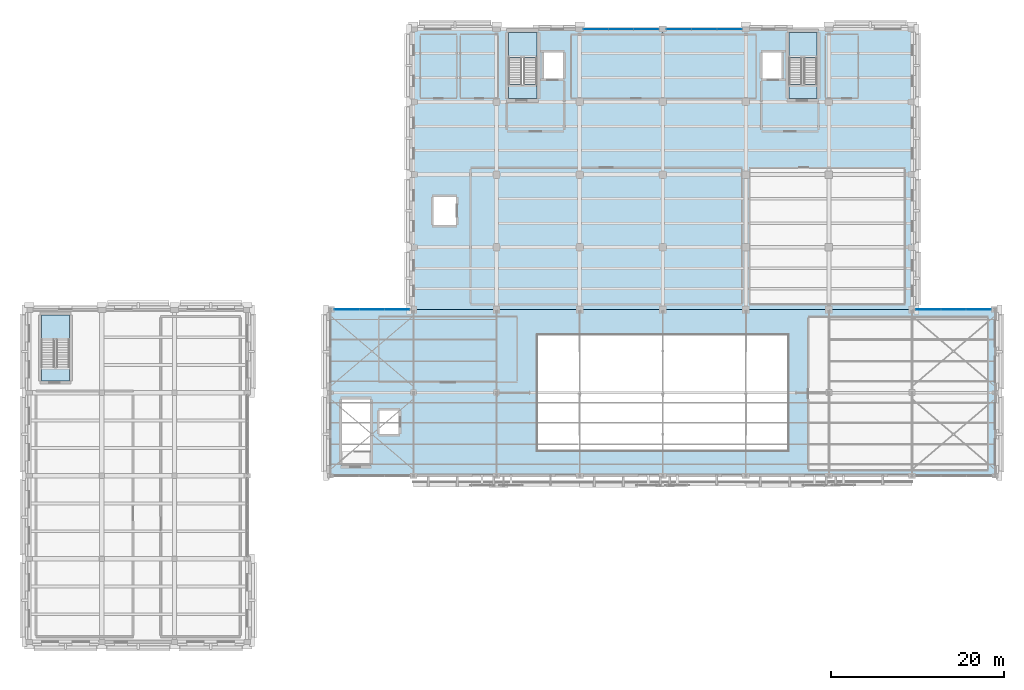
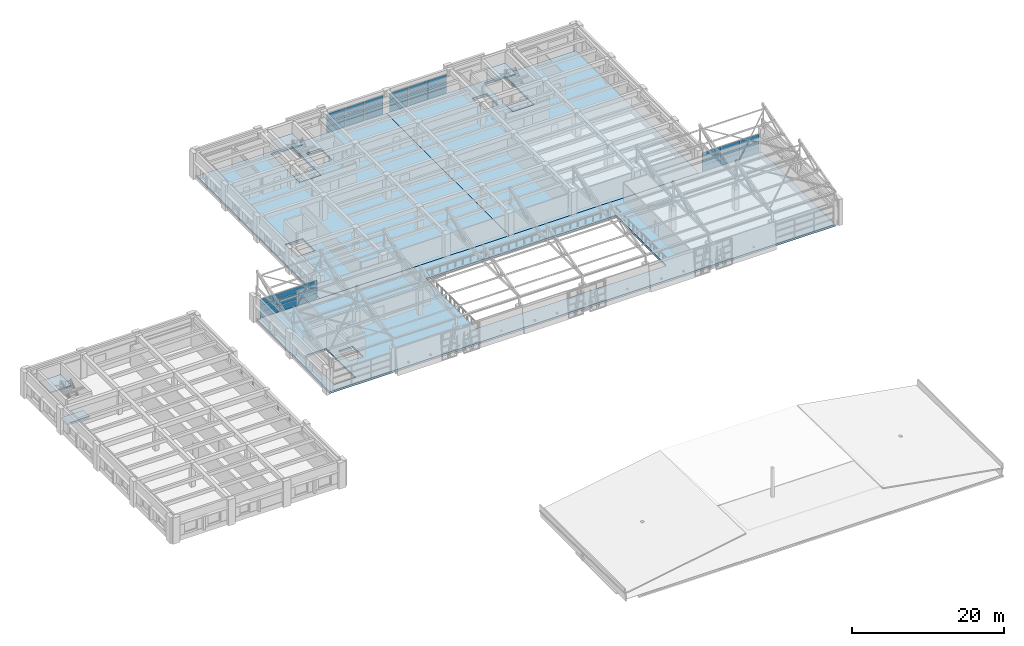
# One storey, part 37 of 58: 36 plates, 9 slabs, 7 elements without a shape of their own.
"""IFC4 building model written with IfcOpenShell, lengths in metres."""

from ifc_helpers import new_model, si_unit, direction, frame, origin, origin_2d, place, context, subcontext, project, spatial, polyline, rectangle, outline, extrude, material, layer, layer_set, type_object, element, aggregate, save


model = new_model("IFC4")

# Units and contexts
model_context = context("Model", 3, precision=1e-05, world=origin(), true_north=direction((0.0, 1.0)))
body_context = subcontext(model_context, "Body", "Model", "MODEL_VIEW")
ifc_project = project(units=[si_unit("LENGTHUNIT", "METRE"), si_unit("AREAUNIT", "SQUARE_METRE"), si_unit("VOLUMEUNIT", "CUBIC_METRE"), si_unit("PLANEANGLEUNIT", "RADIAN"), si_unit("MASSUNIT", "GRAM", prefix="KILO")], contexts=[model_context])

# Site, building, storey
site_placement = place(None, origin())
site = spatial("IfcSite", under=ifc_project, at=site_placement, CompositionType="ELEMENT")
building_placement = place(site_placement, origin())
building = spatial("IfcBuilding", under=site, at=building_placement, Name="Bempovik Park Faculty of Sciences", CompositionType="ELEMENT")
storey_placement = place(building_placement, frame((0.0, 0.0, 18.300048828125)))
storey = spatial("IfcBuildingStorey", under=building, at=storey_placement, Name="L04", CompositionType="ELEMENT", Elevation=18.300048828125)

# Curtain wall, plates
ifc_material_1 = material(Name="Tempered laminated low-E glass", Category="glass")
ifc_layer_1 = layer(ifc_material_1, 0.159912109375)
ifc_layer_set_1 = layer_set([ifc_layer_1], Name="Tempered laminated low-E glass")
curtain_wall_type_1 = type_object("IfcCurtainWallType", Name="CW-41 Curtain 6600x3800", PredefinedType="USERDEFINED", material=ifc_layer_set_1)
curtain_wall_1_placement = place(storey_placement, origin())
curtain_wall_1 = element("IfcCurtainWall", 1, at=curtain_wall_1_placement, inside=storey, type_object=curtain_wall_type_1, Name="L04 Unitised Curtain Wall (87.0,50.4)", ObjectType="UNITISED CURTAIN WALL", PredefinedType="USERDEFINED")
ifc_layer_2 = layer(ifc_material_1, 0.033935546875)
ifc_layer_set_2 = layer_set([ifc_layer_2], Name="Tempered laminated low-E glass")
plate_type_1 = type_object("IfcPlateType", Name="CP-19 Curtain Panel 34mm", PredefinedType="CURTAIN_PANEL", material=ifc_layer_set_2)
plate_1_placement = place(storey_placement, frame((52.305419921875, 87.0, 1.066650390625), z_axis=(0.0, 0.0, 1.0), x_axis=(1.0, 0.0, 0.0)))
plate_1 = element("IfcPlate", 2, at=plate_1_placement, type_object=plate_type_1, Name="CW-BAY-L04-870-504 Panel 0-1", PredefinedType="CURTAIN_PANEL", context=body_context, shape_type="SweptSolid", body=[
    extrude(rectangle(XDim=2.826904296875, YDim=0.035888671875, at=origin_2d()), origin(), (0.0, 0.0, 1.0), 0.94677734375),
])
plate_2_placement = place(storey_placement, frame((52.305419921875, 87.0, 2.09326171875), z_axis=(0.0, 0.0, 1.0), x_axis=(1.0, 0.0, 0.0)))
plate_2 = element("IfcPlate", 3, at=plate_2_placement, type_object=plate_type_1, Name="CW-BAY-L04-870-504 Panel 0-2", PredefinedType="CURTAIN_PANEL", context=body_context, shape_type="SweptSolid", body=[
    extrude(rectangle(XDim=2.826904296875, YDim=0.035888671875, at=origin_2d()), origin(), (0.0, 0.0, 1.0), 0.94677734375),
])
plate_3_placement = place(storey_placement, frame((55.21240234375, 87.0, 1.066650390625), z_axis=(0.0, 0.0, 1.0), x_axis=(1.0, 0.0, 0.0)))
plate_3 = element("IfcPlate", 4, at=plate_3_placement, type_object=plate_type_1, Name="CW-BAY-L04-870-504 Panel 1-1", PredefinedType="CURTAIN_PANEL", context=body_context, shape_type="SweptSolid", body=[
    extrude(rectangle(XDim=2.826904296875, YDim=0.035888671875, at=origin_2d()), origin(), (0.0, 0.0, 1.0), 0.94677734375),
])
plate_4_placement = place(storey_placement, frame((55.21240234375, 87.0, 2.09326171875), z_axis=(0.0, 0.0, 1.0), x_axis=(1.0, 0.0, 0.0)))
plate_4 = element("IfcPlate", 5, at=plate_4_placement, type_object=plate_type_1, Name="CW-BAY-L04-870-504 Panel 1-2", PredefinedType="CURTAIN_PANEL", context=body_context, shape_type="SweptSolid", body=[
    extrude(rectangle(XDim=2.826904296875, YDim=0.035888671875, at=origin_2d()), origin(), (0.0, 0.0, 1.0), 0.94677734375),
])
plate_5_placement = place(storey_placement, frame((58.119384765625, 87.0, 1.066650390625), z_axis=(0.0, 0.0, 1.0), x_axis=(1.0, 0.0, 0.0)))
plate_5 = element("IfcPlate", 6, at=plate_5_placement, type_object=plate_type_1, Name="CW-BAY-L04-870-504 Panel 2-1", PredefinedType="CURTAIN_PANEL", context=body_context, shape_type="SweptSolid", body=[
    extrude(rectangle(XDim=2.826904296875, YDim=0.035888671875, at=origin_2d()), origin(), (0.0, 0.0, 1.0), 0.94677734375),
])
plate_6_placement = place(storey_placement, frame((58.119384765625, 87.0, 2.09326171875), z_axis=(0.0, 0.0, 1.0), x_axis=(1.0, 0.0, 0.0)))
plate_6 = element("IfcPlate", 7, at=plate_6_placement, type_object=plate_type_1, Name="CW-BAY-L04-870-504 Panel 2-2", PredefinedType="CURTAIN_PANEL", context=body_context, shape_type="SweptSolid", body=[
    extrude(rectangle(XDim=2.826904296875, YDim=0.035888671875, at=origin_2d()), origin(), (0.0, 0.0, 1.0), 0.94677734375),
])

curtain_wall_2_placement = place(storey_placement, origin())
curtain_wall_2 = element("IfcCurtainWall", 8, at=curtain_wall_2_placement, inside=storey, type_object=curtain_wall_type_1, Name="L04 Unitised Curtain Wall (87.0,117.6)", ObjectType="UNITISED CURTAIN WALL", PredefinedType="USERDEFINED")
plate_7_placement = place(storey_placement, frame((119.48046875, 87.0, 1.066650390625), z_axis=(0.0, 0.0, 1.0), x_axis=(1.0, 0.0, 0.0)))
plate_7 = element("IfcPlate", 9, at=plate_7_placement, type_object=plate_type_1, Name="CW-BAY-L04-870-1176 Panel 0-1", PredefinedType="CURTAIN_PANEL", context=body_context, shape_type="SweptSolid", body=[
    extrude(rectangle(XDim=2.826904296875, YDim=0.035888671875, at=origin_2d()), origin(), (0.0, 0.0, 1.0), 0.94677734375),
])
plate_8_placement = place(storey_placement, frame((119.48046875, 87.0, 2.09326171875), z_axis=(0.0, 0.0, 1.0), x_axis=(1.0, 0.0, 0.0)))
plate_8 = element("IfcPlate", 10, at=plate_8_placement, type_object=plate_type_1, Name="CW-BAY-L04-870-1176 Panel 0-2", PredefinedType="CURTAIN_PANEL", context=body_context, shape_type="SweptSolid", body=[
    extrude(rectangle(XDim=2.826904296875, YDim=0.035888671875, at=origin_2d()), origin(), (0.0, 0.0, 1.0), 0.94677734375),
])
plate_9_placement = place(storey_placement, frame((122.387451171875, 87.0, 1.066650390625), z_axis=(0.0, 0.0, 1.0), x_axis=(1.0, 0.0, 0.0)))
plate_9 = element("IfcPlate", 11, at=plate_9_placement, type_object=plate_type_1, Name="CW-BAY-L04-870-1176 Panel 1-1", PredefinedType="CURTAIN_PANEL", context=body_context, shape_type="SweptSolid", body=[
    extrude(rectangle(XDim=2.826904296875, YDim=0.035888671875, at=origin_2d()), origin(), (0.0, 0.0, 1.0), 0.94677734375),
])
plate_10_placement = place(storey_placement, frame((122.387451171875, 87.0, 2.09326171875), z_axis=(0.0, 0.0, 1.0), x_axis=(1.0, 0.0, 0.0)))
plate_10 = element("IfcPlate", 12, at=plate_10_placement, type_object=plate_type_1, Name="CW-BAY-L04-870-1176 Panel 1-2", PredefinedType="CURTAIN_PANEL", context=body_context, shape_type="SweptSolid", body=[
    extrude(rectangle(XDim=2.826904296875, YDim=0.035888671875, at=origin_2d()), origin(), (0.0, 0.0, 1.0), 0.94677734375),
])
plate_11_placement = place(storey_placement, frame((125.29443359375, 87.0, 1.066650390625), z_axis=(0.0, 0.0, 1.0), x_axis=(1.0, 0.0, 0.0)))
plate_11 = element("IfcPlate", 13, at=plate_11_placement, type_object=plate_type_1, Name="CW-BAY-L04-870-1176 Panel 2-1", PredefinedType="CURTAIN_PANEL", context=body_context, shape_type="SweptSolid", body=[
    extrude(rectangle(XDim=2.826904296875, YDim=0.035888671875, at=origin_2d()), origin(), (0.0, 0.0, 1.0), 0.94677734375),
])
plate_12_placement = place(storey_placement, frame((125.29443359375, 87.0, 2.09326171875), z_axis=(0.0, 0.0, 1.0), x_axis=(1.0, 0.0, 0.0)))
plate_12 = element("IfcPlate", 14, at=plate_12_placement, type_object=plate_type_1, Name="CW-BAY-L04-870-1176 Panel 2-2", PredefinedType="CURTAIN_PANEL", context=body_context, shape_type="SweptSolid", body=[
    extrude(rectangle(XDim=2.826904296875, YDim=0.035888671875, at=origin_2d()), origin(), (0.0, 0.0, 1.0), 0.94677734375),
])

ifc_layer_3 = layer(ifc_material_1, 0.159912109375)
ifc_layer_set_3 = layer_set([ifc_layer_3], Name="Tempered laminated low-E glass")
curtain_wall_type_2 = type_object("IfcCurtainWallType", Name="CW-24 Curtain 7000x3500", PredefinedType="USERDEFINED", material=ifc_layer_set_3)
curtain_wall_3_placement = place(storey_placement, origin())
curtain_wall_3 = element("IfcCurtainWall", 15, at=curtain_wall_3_placement, inside=storey, type_object=curtain_wall_type_2, Name="L04 Unitised Curtain Wall (119.4,79.2)", ObjectType="UNITISED CURTAIN WALL", PredefinedType="USERDEFINED")
ifc_layer_4 = layer(ifc_material_1, 0.028076171875)
ifc_layer_set_4 = layer_set([ifc_layer_4], Name="Tempered laminated low-E glass")
plate_type_2 = type_object("IfcPlateType", Name="CP-20 Curtain Panel 28mm", PredefinedType="CURTAIN_PANEL", material=ifc_layer_set_4)
plate_13_placement = place(storey_placement, frame((81.101318359375, 119.39990234375, 1.066650390625), z_axis=(0.0, 0.0, 1.0), x_axis=(1.0, 0.0, 0.0)))
plate_13 = element("IfcPlate", 16, at=plate_13_placement, type_object=plate_type_2, Name="CW-BAY-L04-1194-792 Panel 0-1", PredefinedType="CURTAIN_PANEL", context=body_context, shape_type="SweptSolid", body=[
    extrude(rectangle(XDim=2.818603515625, YDim=0.035888671875, at=origin_2d()), origin(), (0.0, 0.0, 1.0), 0.94677734375),
])
plate_14_placement = place(storey_placement, frame((81.101318359375, 119.39990234375, 2.09326171875), z_axis=(0.0, 0.0, 1.0), x_axis=(1.0, 0.0, 0.0)))
plate_14 = element("IfcPlate", 17, at=plate_14_placement, type_object=plate_type_2, Name="CW-BAY-L04-1194-792 Panel 0-2", PredefinedType="CURTAIN_PANEL", context=body_context, shape_type="SweptSolid", body=[
    extrude(rectangle(XDim=2.818603515625, YDim=0.035888671875, at=origin_2d()), origin(), (0.0, 0.0, 1.0), 0.94677734375),
])
plate_15_placement = place(storey_placement, frame((84.0, 119.39990234375, 1.066650390625), z_axis=(0.0, 0.0, 1.0), x_axis=(1.0, 0.0, 0.0)))
plate_15 = element("IfcPlate", 18, at=plate_15_placement, type_object=plate_type_2, Name="CW-BAY-L04-1194-792 Panel 1-1", PredefinedType="CURTAIN_PANEL", context=body_context, shape_type="SweptSolid", body=[
    extrude(rectangle(XDim=2.818603515625, YDim=0.035888671875, at=origin_2d()), origin(), (0.0, 0.0, 1.0), 0.94677734375),
])
plate_16_placement = place(storey_placement, frame((84.0, 119.39990234375, 2.09326171875), z_axis=(0.0, 0.0, 1.0), x_axis=(1.0, 0.0, 0.0)))
plate_16 = element("IfcPlate", 19, at=plate_16_placement, type_object=plate_type_2, Name="CW-BAY-L04-1194-792 Panel 1-2", PredefinedType="CURTAIN_PANEL", context=body_context, shape_type="SweptSolid", body=[
    extrude(rectangle(XDim=2.818603515625, YDim=0.035888671875, at=origin_2d()), origin(), (0.0, 0.0, 1.0), 0.94677734375),
])
plate_17_placement = place(storey_placement, frame((86.898681640625, 119.39990234375, 1.066650390625), z_axis=(0.0, 0.0, 1.0), x_axis=(1.0, 0.0, 0.0)))
plate_17 = element("IfcPlate", 20, at=plate_17_placement, type_object=plate_type_2, Name="CW-BAY-L04-1194-792 Panel 2-1", PredefinedType="CURTAIN_PANEL", context=body_context, shape_type="SweptSolid", body=[
    extrude(rectangle(XDim=2.818603515625, YDim=0.035888671875, at=origin_2d()), origin(), (0.0, 0.0, 1.0), 0.94677734375),
])
plate_18_placement = place(storey_placement, frame((86.898681640625, 119.39990234375, 2.09326171875), z_axis=(0.0, 0.0, 1.0), x_axis=(1.0, 0.0, 0.0)))
plate_18 = element("IfcPlate", 21, at=plate_18_placement, type_object=plate_type_2, Name="CW-BAY-L04-1194-792 Panel 2-2", PredefinedType="CURTAIN_PANEL", context=body_context, shape_type="SweptSolid", body=[
    extrude(rectangle(XDim=2.818603515625, YDim=0.035888671875, at=origin_2d()), origin(), (0.0, 0.0, 1.0), 0.94677734375),
])

curtain_wall_4_placement = place(storey_placement, origin())
curtain_wall_4 = element("IfcCurtainWall", 22, at=curtain_wall_4_placement, inside=storey, type_object=curtain_wall_type_2, Name="L04 Unitised Curtain Wall (119.4,88.8)", ObjectType="UNITISED CURTAIN WALL", PredefinedType="USERDEFINED")
plate_19_placement = place(storey_placement, frame((90.701416015625, 119.39990234375, 1.066650390625), z_axis=(0.0, 0.0, 1.0), x_axis=(1.0, 0.0, 0.0)))
plate_19 = element("IfcPlate", 23, at=plate_19_placement, type_object=plate_type_2, Name="CW-BAY-L04-1194-888 Panel 0-1", PredefinedType="CURTAIN_PANEL", context=body_context, shape_type="SweptSolid", body=[
    extrude(rectangle(XDim=2.818603515625, YDim=0.035888671875, at=origin_2d()), origin(), (0.0, 0.0, 1.0), 0.94677734375),
])
plate_20_placement = place(storey_placement, frame((90.701416015625, 119.39990234375, 2.09326171875), z_axis=(0.0, 0.0, 1.0), x_axis=(1.0, 0.0, 0.0)))
plate_20 = element("IfcPlate", 24, at=plate_20_placement, type_object=plate_type_2, Name="CW-BAY-L04-1194-888 Panel 0-2", PredefinedType="CURTAIN_PANEL", context=body_context, shape_type="SweptSolid", body=[
    extrude(rectangle(XDim=2.818603515625, YDim=0.035888671875, at=origin_2d()), origin(), (0.0, 0.0, 1.0), 0.94677734375),
])
plate_21_placement = place(storey_placement, frame((93.60009765625, 119.39990234375, 1.066650390625), z_axis=(0.0, 0.0, 1.0), x_axis=(1.0, 0.0, 0.0)))
plate_21 = element("IfcPlate", 25, at=plate_21_placement, type_object=plate_type_2, Name="CW-BAY-L04-1194-888 Panel 1-1", PredefinedType="CURTAIN_PANEL", context=body_context, shape_type="SweptSolid", body=[
    extrude(rectangle(XDim=2.818603515625, YDim=0.035888671875, at=origin_2d()), origin(), (0.0, 0.0, 1.0), 0.94677734375),
])
plate_22_placement = place(storey_placement, frame((93.60009765625, 119.39990234375, 2.09326171875), z_axis=(0.0, 0.0, 1.0), x_axis=(1.0, 0.0, 0.0)))
plate_22 = element("IfcPlate", 26, at=plate_22_placement, type_object=plate_type_2, Name="CW-BAY-L04-1194-888 Panel 1-2", PredefinedType="CURTAIN_PANEL", context=body_context, shape_type="SweptSolid", body=[
    extrude(rectangle(XDim=2.818603515625, YDim=0.035888671875, at=origin_2d()), origin(), (0.0, 0.0, 1.0), 0.94677734375),
])
plate_23_placement = place(storey_placement, frame((96.498779296875, 119.39990234375, 1.066650390625), z_axis=(0.0, 0.0, 1.0), x_axis=(1.0, 0.0, 0.0)))
plate_23 = element("IfcPlate", 27, at=plate_23_placement, type_object=plate_type_2, Name="CW-BAY-L04-1194-888 Panel 2-1", PredefinedType="CURTAIN_PANEL", context=body_context, shape_type="SweptSolid", body=[
    extrude(rectangle(XDim=2.818603515625, YDim=0.035888671875, at=origin_2d()), origin(), (0.0, 0.0, 1.0), 0.94677734375),
])
plate_24_placement = place(storey_placement, frame((96.498779296875, 119.39990234375, 2.09326171875), z_axis=(0.0, 0.0, 1.0), x_axis=(1.0, 0.0, 0.0)))
plate_24 = element("IfcPlate", 28, at=plate_24_placement, type_object=plate_type_2, Name="CW-BAY-L04-1194-888 Panel 2-2", PredefinedType="CURTAIN_PANEL", context=body_context, shape_type="SweptSolid", body=[
    extrude(rectangle(XDim=2.818603515625, YDim=0.035888671875, at=origin_2d()), origin(), (0.0, 0.0, 1.0), 0.94677734375),
])

# Plate
ifc_material_2 = material(Name="Anodised architectural bronze")
ifc_layer_5 = layer(ifc_material_2, 0.048095703125)
ifc_layer_set_5 = layer_set([ifc_layer_5], Name="Anodised architectural bronze")
plate_type_3 = type_object("IfcPlateType", Name="CP-24 Curtain Panel 48mm", PredefinedType="CURTAIN_PANEL", material=ifc_layer_set_5)
plate_25_placement = place(storey_placement, frame((52.305419921875, 87.0, 0.039794921875), z_axis=(0.0, 0.0, 1.0), x_axis=(1.0, 0.0, 0.0)))
plate_25 = element("IfcPlate", 29, at=plate_25_placement, type_object=plate_type_3, Name="CW-BAY-L04-870-504 Panel 0-0", PredefinedType="CURTAIN_PANEL", context=body_context, shape_type="SweptSolid", body=[
    extrude(rectangle(XDim=2.826904296875, YDim=0.035888671875, at=origin_2d()), origin(), (0.0, 0.0, 1.0), 0.94677734375),
])

plate_26_placement = place(storey_placement, frame((55.21240234375, 87.0, 0.039794921875), z_axis=(0.0, 0.0, 1.0), x_axis=(1.0, 0.0, 0.0)))
plate_26 = element("IfcPlate", 30, at=plate_26_placement, type_object=plate_type_3, Name="CW-BAY-L04-870-504 Panel 1-0", PredefinedType="CURTAIN_PANEL", context=body_context, shape_type="SweptSolid", body=[
    extrude(rectangle(XDim=2.826904296875, YDim=0.035888671875, at=origin_2d()), origin(), (0.0, 0.0, 1.0), 0.94677734375),
])

plate_27_placement = place(storey_placement, frame((58.119384765625, 87.0, 0.039794921875), z_axis=(0.0, 0.0, 1.0), x_axis=(1.0, 0.0, 0.0)))
plate_27 = element("IfcPlate", 31, at=plate_27_placement, type_object=plate_type_3, Name="CW-BAY-L04-870-504 Panel 2-0", PredefinedType="CURTAIN_PANEL", context=body_context, shape_type="SweptSolid", body=[
    extrude(rectangle(XDim=2.826904296875, YDim=0.035888671875, at=origin_2d()), origin(), (0.0, 0.0, 1.0), 0.94677734375),
])

aggregate(curtain_wall_1, [plate_25, plate_1, plate_2, plate_26, plate_3, plate_4, plate_27, plate_5, plate_6])

plate_28_placement = place(storey_placement, frame((81.101318359375, 119.39990234375, 0.039794921875), z_axis=(0.0, 0.0, 1.0), x_axis=(1.0, 0.0, 0.0)))
plate_28 = element("IfcPlate", 32, at=plate_28_placement, type_object=plate_type_3, Name="CW-BAY-L04-1194-792 Panel 0-0", PredefinedType="CURTAIN_PANEL", context=body_context, shape_type="SweptSolid", body=[
    extrude(rectangle(XDim=2.818603515625, YDim=0.035888671875, at=origin_2d()), origin(), (0.0, 0.0, 1.0), 0.94677734375),
])

plate_29_placement = place(storey_placement, frame((84.0, 119.39990234375, 0.039794921875), z_axis=(0.0, 0.0, 1.0), x_axis=(1.0, 0.0, 0.0)))
plate_29 = element("IfcPlate", 33, at=plate_29_placement, type_object=plate_type_3, Name="CW-BAY-L04-1194-792 Panel 1-0", PredefinedType="CURTAIN_PANEL", context=body_context, shape_type="SweptSolid", body=[
    extrude(rectangle(XDim=2.818603515625, YDim=0.035888671875, at=origin_2d()), origin(), (0.0, 0.0, 1.0), 0.94677734375),
])

plate_30_placement = place(storey_placement, frame((86.898681640625, 119.39990234375, 0.039794921875), z_axis=(0.0, 0.0, 1.0), x_axis=(1.0, 0.0, 0.0)))
plate_30 = element("IfcPlate", 34, at=plate_30_placement, type_object=plate_type_3, Name="CW-BAY-L04-1194-792 Panel 2-0", PredefinedType="CURTAIN_PANEL", context=body_context, shape_type="SweptSolid", body=[
    extrude(rectangle(XDim=2.818603515625, YDim=0.035888671875, at=origin_2d()), origin(), (0.0, 0.0, 1.0), 0.94677734375),
])

aggregate(curtain_wall_3, [plate_28, plate_13, plate_14, plate_29, plate_15, plate_16, plate_30, plate_17, plate_18])

plate_31_placement = place(storey_placement, frame((90.701416015625, 119.39990234375, 0.039794921875), z_axis=(0.0, 0.0, 1.0), x_axis=(1.0, 0.0, 0.0)))
plate_31 = element("IfcPlate", 35, at=plate_31_placement, type_object=plate_type_3, Name="CW-BAY-L04-1194-888 Panel 0-0", PredefinedType="CURTAIN_PANEL", context=body_context, shape_type="SweptSolid", body=[
    extrude(rectangle(XDim=2.818603515625, YDim=0.035888671875, at=origin_2d()), origin(), (0.0, 0.0, 1.0), 0.94677734375),
])

plate_32_placement = place(storey_placement, frame((93.60009765625, 119.39990234375, 0.039794921875), z_axis=(0.0, 0.0, 1.0), x_axis=(1.0, 0.0, 0.0)))
plate_32 = element("IfcPlate", 36, at=plate_32_placement, type_object=plate_type_3, Name="CW-BAY-L04-1194-888 Panel 1-0", PredefinedType="CURTAIN_PANEL", context=body_context, shape_type="SweptSolid", body=[
    extrude(rectangle(XDim=2.818603515625, YDim=0.035888671875, at=origin_2d()), origin(), (0.0, 0.0, 1.0), 0.94677734375),
])

plate_33_placement = place(storey_placement, frame((96.498779296875, 119.39990234375, 0.039794921875), z_axis=(0.0, 0.0, 1.0), x_axis=(1.0, 0.0, 0.0)))
plate_33 = element("IfcPlate", 37, at=plate_33_placement, type_object=plate_type_3, Name="CW-BAY-L04-1194-888 Panel 2-0", PredefinedType="CURTAIN_PANEL", context=body_context, shape_type="SweptSolid", body=[
    extrude(rectangle(XDim=2.818603515625, YDim=0.035888671875, at=origin_2d()), origin(), (0.0, 0.0, 1.0), 0.94677734375),
])

aggregate(curtain_wall_4, [plate_31, plate_19, plate_20, plate_32, plate_21, plate_22, plate_33, plate_23, plate_24])

plate_34_placement = place(storey_placement, frame((119.48046875, 87.0, 0.039794921875), z_axis=(0.0, 0.0, 1.0), x_axis=(1.0, 0.0, 0.0)))
plate_34 = element("IfcPlate", 38, at=plate_34_placement, type_object=plate_type_3, Name="CW-BAY-L04-870-1176 Panel 0-0", PredefinedType="CURTAIN_PANEL", context=body_context, shape_type="SweptSolid", body=[
    extrude(rectangle(XDim=2.826904296875, YDim=0.035888671875, at=origin_2d()), origin(), (0.0, 0.0, 1.0), 0.94677734375),
])

plate_35_placement = place(storey_placement, frame((122.387451171875, 87.0, 0.039794921875), z_axis=(0.0, 0.0, 1.0), x_axis=(1.0, 0.0, 0.0)))
plate_35 = element("IfcPlate", 39, at=plate_35_placement, type_object=plate_type_3, Name="CW-BAY-L04-870-1176 Panel 1-0", PredefinedType="CURTAIN_PANEL", context=body_context, shape_type="SweptSolid", body=[
    extrude(rectangle(XDim=2.826904296875, YDim=0.035888671875, at=origin_2d()), origin(), (0.0, 0.0, 1.0), 0.94677734375),
])

plate_36_placement = place(storey_placement, frame((125.29443359375, 87.0, 0.039794921875), z_axis=(0.0, 0.0, 1.0), x_axis=(1.0, 0.0, 0.0)))
plate_36 = element("IfcPlate", 40, at=plate_36_placement, type_object=plate_type_3, Name="CW-BAY-L04-870-1176 Panel 2-0", PredefinedType="CURTAIN_PANEL", context=body_context, shape_type="SweptSolid", body=[
    extrude(rectangle(XDim=2.826904296875, YDim=0.035888671875, at=origin_2d()), origin(), (0.0, 0.0, 1.0), 0.94677734375),
])

aggregate(curtain_wall_2, [plate_34, plate_7, plate_8, plate_35, plate_9, plate_10, plate_36, plate_11, plate_12])

# Slabs
ifc_material_3 = material(Name="Concrete C35/45", Category="concrete")
ifc_layer_6 = layer(ifc_material_3, 0.260009765625)
ifc_layer_set_6 = layer_set([ifc_layer_6], Name="Concrete C35/45")
slab_type_1 = type_object("IfcSlabType", Name="S-13 Slab 260mm", PredefinedType="FLOOR", material=ifc_layer_set_6)
slab_1_placement = place(storey_placement, frame((0.0, 0.0, -0.300048828125)))
element("IfcSlab", 41, at=slab_1_placement, inside=storey, type_object=slab_type_1, Name="L04 Sky-Lit Atrium & Concourse Floor Slab (M)", PredefinedType="FLOOR", context=body_context, shape_type="SweptSolid", body=[
    extrude(outline(polyline([(50.39990234375, 67.800048828125), (127.199951171875, 67.800048828125), (127.199951171875, 87.0), (50.39990234375, 87.0), (50.39990234375, 67.800048828125)]), holes=[polyline([(51.75, 69.0), (55.0, 69.0), (55.0, 76.625), (51.75, 76.625), (51.75, 69.0)]), polyline([(56.10009765625, 72.64990234375), (58.300048828125, 72.64990234375), (58.300048828125, 75.35009765625), (56.10009765625, 75.35009765625), (56.10009765625, 72.64990234375)]), polyline([(74.375, 70.75), (103.25, 70.75), (103.25, 84.0), (74.375, 84.0), (74.375, 70.75)])]), origin(), (0.0, 0.0, 1.0), 0.300048828125),
])
ifc_layer_7 = layer(ifc_material_3, 0.280029296875)
ifc_layer_set_7 = layer_set([ifc_layer_7], Name="Concrete C35/45")
slab_type_2 = type_object("IfcSlabType", Name="S-32 Slab 280mm", PredefinedType="FLOOR", material=ifc_layer_set_7)
slab_2_placement = place(storey_placement, frame((0.0, 0.0, -0.300048828125)))
element("IfcSlab", 42, at=slab_2_placement, inside=storey, type_object=slab_type_2, Name="L04 North Research Tower Floor Slab (W)", PredefinedType="FLOOR", context=body_context, shape_type="SweptSolid", body=[
    extrude(outline(polyline([(60.0, 87.0), (88.800048828125, 87.0), (88.800048828125, 119.39990234375), (60.0, 119.39990234375), (60.0, 87.0)]), holes=[polyline([(71.0, 111.375), (74.25, 111.375), (74.25, 119.0), (71.0, 119.0), (71.0, 111.375)]), polyline([(75.10009765625, 113.699951171875), (77.300048828125, 113.699951171875), (77.300048828125, 116.699951171875), (75.10009765625, 116.699951171875), (75.10009765625, 113.699951171875)]), polyline([(62.300048828125, 96.800048828125), (64.89990234375, 96.800048828125), (64.89990234375, 100.0), (62.300048828125, 100.0), (62.300048828125, 96.800048828125)])]), origin(), (0.0, 0.0, 1.0), 0.300048828125),
])
slab_3_placement = place(storey_placement, frame((0.0, 0.0, -0.300048828125)))
element("IfcSlab", 43, at=slab_3_placement, inside=storey, type_object=slab_type_2, Name="L04 North Research Tower Floor Slab (E)", PredefinedType="FLOOR", context=body_context, shape_type="SweptSolid", body=[
    extrude(outline(polyline([(88.800048828125, 87.0), (117.60009765625, 87.0), (117.60009765625, 119.39990234375), (88.800048828125, 119.39990234375), (88.800048828125, 87.0)]), holes=[polyline([(103.375, 111.375), (106.625, 111.375), (106.625, 119.0), (103.375, 119.0), (103.375, 111.375)]), polyline([(100.300048828125, 113.699951171875), (102.5, 113.699951171875), (102.5, 116.699951171875), (100.300048828125, 116.699951171875), (100.300048828125, 113.699951171875)])]), origin(), (0.0, 0.0, 1.0), 0.300048828125),
])

# Stair, slab
stair_type = type_object("IfcStairType", Name="ST-16 Stair W1500 H4200", PredefinedType="HALF_TURN_STAIR", material=ifc_material_3)
stair_1_placement = place(storey_placement, origin())
stair_1 = element("IfcStair", 44, at=stair_1_placement, inside=storey, type_object=stair_type, Name="L04 ST-1 Dog-Leg Exit Stair", PredefinedType="HALF_TURN_STAIR")
ifc_layer_8 = layer(ifc_material_3, 0.199951171875)
ifc_layer_set_8 = layer_set([ifc_layer_8], Name="Concrete C35/45")
slab_type_3 = type_object("IfcSlabType", Name="S-41 Slab 200mm", PredefinedType="LANDING", material=ifc_layer_set_8)
slab_4_placement = place(storey_placement, frame((0.0, 0.0, 1.89990234375)))
slab_4 = element("IfcSlab", 45, at=slab_4_placement, type_object=slab_type_3, Name="ST-16 landing 1", PredefinedType="LANDING", context=body_context, shape_type="SweptSolid", body=[
    extrude(outline(polyline([(74.25, 116.09375), (74.25, 119.0), (71.0, 119.0), (71.0, 116.09375), (74.25, 116.09375)])), origin(), (0.0, 0.0, 1.0), 0.199951171875),
])
aggregate(stair_1, [slab_4])

# Slab
slab_5_placement = place(storey_placement, frame((0.0, 0.0, -0.300048828125)))
element("IfcSlab", 46, at=slab_5_placement, inside=storey, type_object=slab_type_3, Name="L04 ST-1 Floor Landing Slab", PredefinedType="LANDING", context=body_context, shape_type="SweptSolid", body=[
    extrude(outline(polyline([(74.25, 111.375), (74.25, 113.0), (71.0, 113.0), (71.0, 111.375), (74.25, 111.375)])), origin(), (0.0, 0.0, 1.0), 0.300048828125),
])

# Stair, slab
stair_2_placement = place(storey_placement, origin())
stair_2 = element("IfcStair", 47, at=stair_2_placement, inside=storey, type_object=stair_type, Name="L04 ST-2 Dog-Leg Exit Stair", PredefinedType="HALF_TURN_STAIR")
slab_6_placement = place(storey_placement, frame((0.0, 0.0, 1.89990234375)))
slab_6 = element("IfcSlab", 48, at=slab_6_placement, type_object=slab_type_3, Name="ST-16 landing 1", PredefinedType="LANDING", context=body_context, shape_type="SweptSolid", body=[
    extrude(outline(polyline([(106.625, 116.09375), (106.625, 119.0), (103.375, 119.0), (103.375, 116.09375), (106.625, 116.09375)])), origin(), (0.0, 0.0, 1.0), 0.199951171875),
])
aggregate(stair_2, [slab_6])

# Slab
slab_7_placement = place(storey_placement, frame((0.0, 0.0, -0.300048828125)))
element("IfcSlab", 49, at=slab_7_placement, inside=storey, type_object=slab_type_3, Name="L04 ST-2 Floor Landing Slab", PredefinedType="LANDING", context=body_context, shape_type="SweptSolid", body=[
    extrude(outline(polyline([(106.625, 111.375), (106.625, 113.0), (103.375, 113.0), (103.375, 111.375), (106.625, 111.375)])), origin(), (0.0, 0.0, 1.0), 0.300048828125),
])

# Stair, slab
stair_3_placement = place(storey_placement, origin())
stair_3 = element("IfcStair", 50, at=stair_3_placement, inside=storey, type_object=stair_type, Name="L04 ST-3 Dog-Leg Exit Stair", PredefinedType="HALF_TURN_STAIR")
slab_8_placement = place(storey_placement, frame((0.0, 0.0, 1.89990234375)))
slab_8 = element("IfcSlab", 51, at=slab_8_placement, type_object=slab_type_3, Name="ST-16 landing 1", PredefinedType="LANDING", context=body_context, shape_type="SweptSolid", body=[
    extrude(outline(polyline([(20.25, 83.46875), (20.25, 86.375), (17.0, 86.375), (17.0, 83.46875), (20.25, 83.46875)])), origin(), (0.0, 0.0, 1.0), 0.199951171875),
])
aggregate(stair_3, [slab_8])

# Slab
slab_9_placement = place(storey_placement, frame((0.0, 0.0, -0.300048828125)))
element("IfcSlab", 52, at=slab_9_placement, inside=storey, type_object=slab_type_3, Name="L04 ST-3 Floor Landing Slab", PredefinedType="LANDING", context=body_context, shape_type="SweptSolid", body=[
    extrude(outline(polyline([(20.25, 78.75), (20.25, 80.375), (17.0, 80.375), (17.0, 78.75), (20.25, 78.75)])), origin(), (0.0, 0.0, 1.0), 0.300048828125),
])

save(model, "model.ifc")
